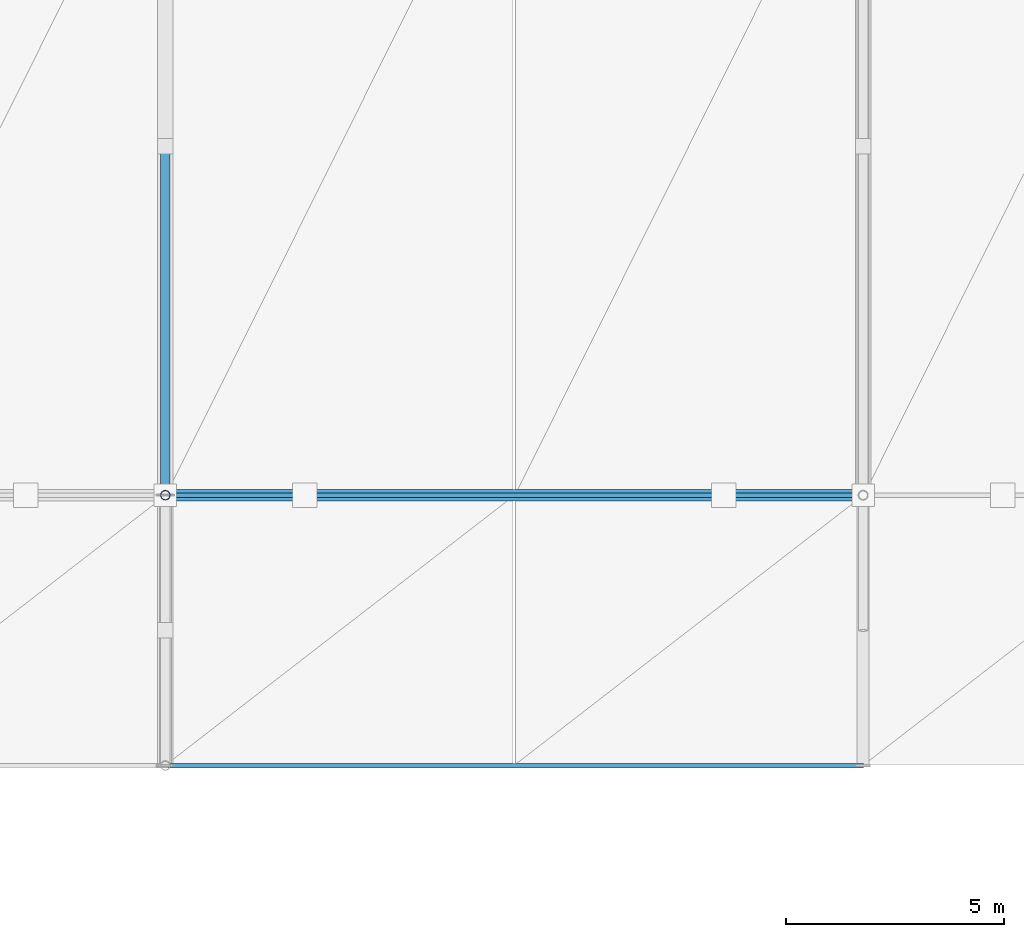
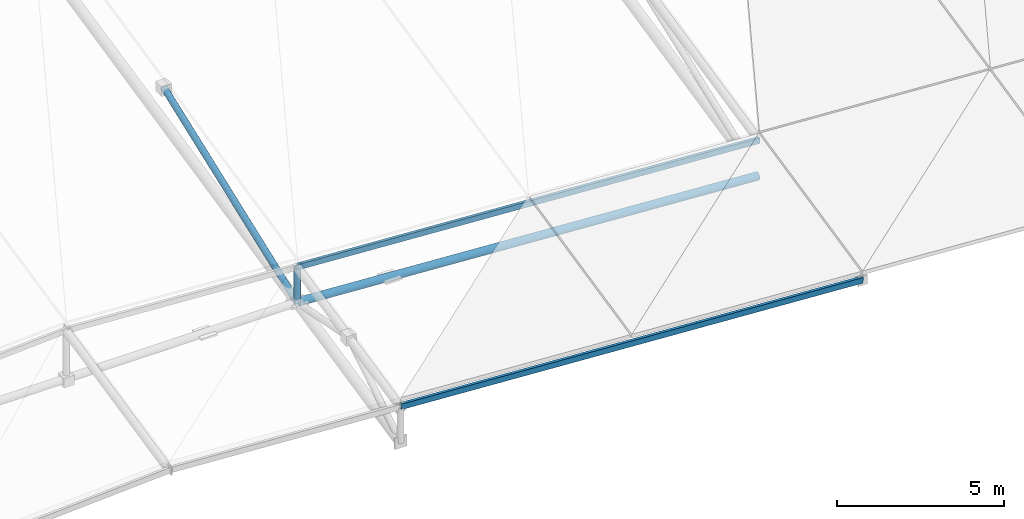
# One storey, part 16 of 67: 4 members, 1 beam.
"""IFC4 building model written with IfcOpenShell, lengths in metres."""

import ifcopenshell
import ifcopenshell.guid

model = None  # the IFC model being written
_history = None  # IfcOwnerHistory: only IFC2X3 demands one
_inside = {}  # id of a spatial element -> (the spatial element, [elements in it])
_under = {}  # id of a project, library or spatial element -> (it, [spatial elements below it])
_declared = {}  # id of a project -> (the project, [libraries it declares])
_typed = {}  # id of a type object -> (the type object, [elements of that type])
_made_of = {}  # id of a material, layer set ... -> (it, [elements and type objects made of it])


def new_model(schema):
    """Start an empty IFC model of exactly this schema.

    Asked for "IFC4X3", IfcOpenShell would pick the latest addendum, in which some entities
    have other attributes; the version numbers below select the first issue.
    IFC2X3 requires an IfcOwnerHistory on every rooted entity: one is made here for all.
    """
    global model, _history
    if schema == "IFC4X3":
        model = ifcopenshell.file(schema_version=(4, 3, 0, 0))
    else:
        model = ifcopenshell.file(schema=schema)
    _inside.clear()
    _under.clear()
    _declared.clear()
    _typed.clear()
    _made_of.clear()
    _history = None
    if model.schema == "IFC2X3":
        org = make("IfcOrganization", Name="unknown")
        user = make(
            "IfcPersonAndOrganization",
            ThePerson=make("IfcPerson", FamilyName="unknown"),
            TheOrganization=org,
        )
        app = make(
            "IfcApplication",
            ApplicationDeveloper=org,
            Version="unknown",
            ApplicationFullName="unknown",
            ApplicationIdentifier="unknown",
        )
        _history = make(
            "IfcOwnerHistory",
            OwningUser=user,
            OwningApplication=app,
            ChangeAction="ADDED",
            CreationDate=0,
        )
    return model


def make(cls, **values):
    """One entity of the class cls with the attributes given. An attribute that is None is left unset."""
    return model.create_entity(
        cls, **{name: value for name, value in values.items() if value is not None}
    )


def rooted(cls, **values):
    """An entity with a GlobalId (a new one), such as an element, a storey or a relation."""
    return make(cls, GlobalId=ifcopenshell.guid.new(), OwnerHistory=_history, **values)


def si_unit(unit_type, name, prefix=None):
    """IfcSIUnit, for example si_unit("LENGTHUNIT", "METRE", prefix="MILLI")."""
    return make("IfcSIUnit", UnitType=unit_type, Prefix=prefix, Name=name)


def assignment(units):
    """IfcUnitAssignment: the units of a project."""
    return None if units is None else make("IfcUnitAssignment", Units=units)


def point(xyz):
    """IfcCartesianPoint."""
    return None if xyz is None else make("IfcCartesianPoint", Coordinates=xyz)


def direction(xyz):
    """IfcDirection."""
    return None if xyz is None else make("IfcDirection", DirectionRatios=xyz)


def frame(location, z_axis=None, x_axis=None):
    """IfcAxis2Placement3D, a coordinate frame: its origin and axes. An axis left out is left unset."""
    return make(
        "IfcAxis2Placement3D",
        Location=point(location),
        Axis=direction(z_axis),
        RefDirection=direction(x_axis),
    )


def frame_2d(location, x_axis=None):
    """IfcAxis2Placement2D, a coordinate frame in the plane: its origin and x axis."""
    return make(
        "IfcAxis2Placement2D", Location=point(location), RefDirection=direction(x_axis)
    )


def origin():
    """The frame at (0, 0, 0) with its axes left unset."""
    return frame((0.0, 0.0, 0.0))


def origin_2d():
    """The frame at (0, 0) in the plane with its x axis left unset."""
    return frame_2d((0.0, 0.0))


def place(relative_to, where):
    """IfcLocalPlacement: puts the frame where relative to a parent placement (None: the world)."""
    return make(
        "IfcLocalPlacement", PlacementRelTo=relative_to, RelativePlacement=where
    )


def context(
    kind, dimensions, precision=None, world=None, true_north=None, identifier=None
):
    """IfcGeometricRepresentationContext, for example the 3D "Model" context."""
    return make(
        "IfcGeometricRepresentationContext",
        ContextIdentifier=identifier,
        ContextType=kind,
        CoordinateSpaceDimension=dimensions,
        Precision=precision,
        WorldCoordinateSystem=world,
        TrueNorth=true_north,
    )


def subcontext(parent, identifier, kind, view, scale=None):
    """IfcGeometricRepresentationSubContext, for example "Body" below "Model"."""
    return make(
        "IfcGeometricRepresentationSubContext",
        ContextIdentifier=identifier,
        ContextType=kind,
        ParentContext=parent,
        TargetScale=scale,
        TargetView=view,
    )


def project(units=None, contexts=None):
    """IfcProject with its units and contexts."""
    return rooted(
        "IfcProject",
        Name="project",
        RepresentationContexts=contexts,
        UnitsInContext=assignment(units),
    )


def spatial(cls, under=None, at=None, **own):
    """A site, building, storey or space (cls), placed at a placement, below another one or the project."""
    s = rooted(cls, ObjectPlacement=at, **own)
    if under is not None:
        _under.setdefault(under.id(), (under, []))[1].append(s)
    return s


def profile(cls, at=None, kind="AREA", **sizes):
    """A parametric profile (cls). Its sizes go by their IFC names, for example OverallWidth=200.0."""
    return make(cls, ProfileType=kind, Position=at, **sizes)


def hollow_rectangle(**sizes):
    """IfcRectangleHollowProfileDef."""
    return profile("IfcRectangleHollowProfileDef", **sizes)


def hollow_circle(**sizes):
    """IfcCircleHollowProfileDef."""
    return profile("IfcCircleHollowProfileDef", **sizes)


def extrude(swept, where, along, depth):
    """IfcExtrudedAreaSolid: the profile swept, set in the frame where, extruded along a direction by depth."""
    return make(
        "IfcExtrudedAreaSolid",
        SweptArea=swept,
        Position=where,
        ExtrudedDirection=direction(along),
        Depth=depth,
    )


def shape(context_of_items, identifier, shape_type, items):
    """IfcShapeRepresentation: the items that make up one representation, for example the "Body"."""
    return make(
        "IfcShapeRepresentation",
        ContextOfItems=context_of_items,
        RepresentationIdentifier=identifier,
        RepresentationType=shape_type,
        Items=items,
    )


def material(Name=None, Category=None):
    """IfcMaterial."""
    return make("IfcMaterial", Name=Name, Category=Category)


def material_profile(
    of_material, cross_section, Name=None, Category=None, Priority=None
):
    """IfcMaterialProfile: a cross section and its material."""
    return make(
        "IfcMaterialProfile",
        Name=Name,
        Material=of_material,
        Profile=cross_section,
        Priority=Priority,
        Category=Category,
    )


def profile_set(profiles, Name=None, composite=None):
    """IfcMaterialProfileSet."""
    return make(
        "IfcMaterialProfileSet",
        Name=Name,
        MaterialProfiles=profiles,
        CompositeProfile=composite,
    )


def made_of(thing, what):
    """Note that an element or type object is made of a material, layer set ...; save() writes the relation."""
    if what is not None:
        _made_of.setdefault(what.id(), (what, []))[1].append(thing)
    return thing


def type_object(cls, material=None, **own):
    """A type object (cls), such as IfcWallType, which elements share."""
    return made_of(rooted(cls, **own), material)


def element(
    cls,
    number,
    at=None,
    inside=None,
    cuts=None,
    type_object=None,
    material=None,
    context=None,
    identifier="Body",
    shape_type=None,
    held_by="IfcProductDefinitionShape",
    body=None,
    shapes=None,
    **own,
):
    """One element of the class cls, such as IfcWall. Its Tag is "e" and its number.

    at: its placement. inside: the storey or other place that contains it. cuts: it is an
    opening in that element (IfcRelVoidsElement). A single representation is given by context,
    identifier, shape_type and body (its items); several are given by shapes. held_by: the class
    of the entity that holds the representations. save() writes the other relations.
    """
    e = rooted(cls, Tag="e%d" % number, ObjectPlacement=at, **own)
    if body is not None:
        shapes = [shape(context, identifier, shape_type, body)]
    if shapes is not None:
        e.Representation = make(held_by, Representations=shapes)
    if inside is not None:
        _inside.setdefault(inside.id(), (inside, []))[1].append(e)
    if cuts is not None:
        rooted(
            "IfcRelVoidsElement", RelatingBuildingElement=cuts, RelatedOpeningElement=e
        )
    if type_object is not None:
        _typed.setdefault(type_object.id(), (type_object, []))[1].append(e)
    return made_of(e, material)


def aggregate(whole, parts):
    """IfcRelAggregates: a whole, such as a stair, and the parts it consists of."""
    return rooted("IfcRelAggregates", RelatingObject=whole, RelatedObjects=parts)


def save(model, path):
    """Write the relations noted so far, then the file.

    IfcRelAggregates (storeys below a building ...), IfcRelContainedInSpatialStructure (elements
    in a storey), IfcRelDefinesByType, IfcRelAssociatesMaterial and IfcRelDeclares: one each for
    every whole, place, type object, material and project.
    """
    for whole, parts in _under.values():
        aggregate(whole, parts)
    for where, things in _inside.values():
        rooted(
            "IfcRelContainedInSpatialStructure",
            RelatedElements=things,
            RelatingStructure=where,
        )
    for kind, things in _typed.values():
        rooted("IfcRelDefinesByType", RelatedObjects=things, RelatingType=kind)
    for what, things in _made_of.values():
        rooted("IfcRelAssociatesMaterial", RelatedObjects=things, RelatingMaterial=what)
    for by, libraries in _declared.values():
        rooted("IfcRelDeclares", RelatingContext=by, RelatedDefinitions=libraries)
    model.write(path)


model = new_model("IFC4")

# Units and contexts
model_context = context("Model", 3, precision=1e-05, world=origin(), true_north=direction((0.0, 1.0)))
body_context = subcontext(model_context, "Body", "Model", "MODEL_VIEW")
ifc_project = project(units=[si_unit("LENGTHUNIT", "METRE"), si_unit("AREAUNIT", "SQUARE_METRE"), si_unit("VOLUMEUNIT", "CUBIC_METRE"), si_unit("PLANEANGLEUNIT", "RADIAN"), si_unit("MASSUNIT", "GRAM", prefix="KILO")], contexts=[model_context])

# Site, building, storey
site_placement = place(None, origin())
site = spatial("IfcSite", under=ifc_project, at=site_placement, CompositionType="ELEMENT")
building_placement = place(site_placement, origin())
building = spatial("IfcBuilding", under=site, at=building_placement, Name="Drelvath Fold Interchange", CompositionType="ELEMENT")
storey_placement = place(building_placement, frame((0.0, 0.0, 15.60009765625)))
storey = spatial("IfcBuildingStorey", under=building, at=storey_placement, Name="L03", CompositionType="ELEMENT", Elevation=15.60009765625)

# Members
ifc_material = material(Name="Steel ASTM A500 Grade C", Category="steel")
ifc_material_profile_1 = material_profile(ifc_material, hollow_rectangle(XDim=0.10205078125, YDim=0.202880859375, WallThickness=0.00732421875, at=origin_2d()), Name="HSS8X4X5/16")
ifc_profile_set_1 = profile_set([ifc_material_profile_1], Name="Steel ASTM A500 Grade C")
member_type_1 = type_object("IfcMemberType", Name="PR-HSS203", PredefinedType="PURLIN", material=ifc_profile_set_1)
for number, where, z_axis, x_axis, name in (
    (1, (118.0, 20.800048828125, 1.0869140625), (0.998197699277, 0.0, -0.060011275256), (0.0, 1.0, 0.0), "L03 Space frame canopy purlin PR-HSS203"),
    (2, (118.0, 27.0, 2.43896484375), (0.998196786761, 0.0, -0.06002645167), (0.0, 1.0, 0.0), "L03 Space frame canopy purlin PR-HSS203"),
):
    element("IfcMember", number, at=place(storey_placement, frame(where, z_axis=z_axis, x_axis=x_axis)), inside=storey, type_object=member_type_1, Name=name, PredefinedType="PURLIN", context=body_context, shape_type="SweptSolid", body=[
        extrude(hollow_rectangle(XDim=0.10205078125, YDim=0.202880859375, WallThickness=0.00732421875, at=origin_2d()), origin(), (0.0, 0.0, 1.0), 16.02880859375),
    ])

# Beam
ifc_material_profile_2 = material_profile(ifc_material, hollow_circle(Radius=0.136474609375, WallThickness=0.01171875, at=origin_2d()), Name="HSS10.750X0.500")
ifc_profile_set_2 = profile_set([ifc_material_profile_2], Name="Steel ASTM A500 Grade C")
beam_type = type_object("IfcBeamType", Name="SF-TIE273", PredefinedType="BEAM", material=ifc_profile_set_2)
beam_placement = place(storey_placement, frame((118.050048828125, 27.0, 1.136962890625), z_axis=(0.998174073419, 0.0, -0.060402973058), x_axis=(0.0, 1.0, 0.0)))
element("IfcBeam", 3, at=beam_placement, inside=storey, type_object=beam_type, Name="Space frame roof truss longitudinal tie EAST", PredefinedType="BEAM", context=body_context, shape_type="SweptSolid", body=[
    extrude(hollow_circle(Radius=0.136474609375, WallThickness=0.01171875, at=origin_2d()), origin(), (0.0, 0.0, 1.0), 15.928955078125),
])

# Members
ifc_material_profile_3 = material_profile(ifc_material, hollow_circle(Radius=0.109619140625, WallThickness=0.0087890625, at=origin_2d()), Name="HSS8.625X0.375")
ifc_profile_set_3 = profile_set([ifc_material_profile_3], Name="Steel ASTM A500 Grade C")
member_type_2 = type_object("IfcMemberType", Name="SF-WEB219", PredefinedType="BRACE", material=ifc_profile_set_3)
member_1_placement = place(storey_placement, frame((118.0, 27.0, 1.136962890625), z_axis=(0.0, 0.935792918381, 0.352550158002), x_axis=(-1.0, 0.0, 0.0)))
element("IfcMember", 4, at=member_1_placement, inside=storey, type_object=member_type_2, Name="L03 Space frame roof truss web brace SF-WEB219", PredefinedType="BRACE", context=body_context, shape_type="SweptSolid", body=[
    extrude(hollow_circle(Radius=0.109619140625, WallThickness=0.0087890625, at=origin_2d()), origin(), (0.0, 0.0, 1.0), 8.548828125),
])
member_2_placement = place(storey_placement, frame((118.0, 27.0, 1.136962890625), z_axis=(0.0, 0.0, 1.0), x_axis=(1.0, 0.0, 0.0)))
element("IfcMember", 5, at=member_2_placement, inside=storey, type_object=member_type_2, Name="L03 Space frame roof truss web brace SF-WEB219", PredefinedType="BRACE", context=body_context, shape_type="SweptSolid", body=[
    extrude(hollow_circle(Radius=0.109619140625, WallThickness=0.0087890625, at=origin_2d()), origin(), (0.0, 0.0, 1.0), 1.27001953125),
])

save(model, "model.ifc")
